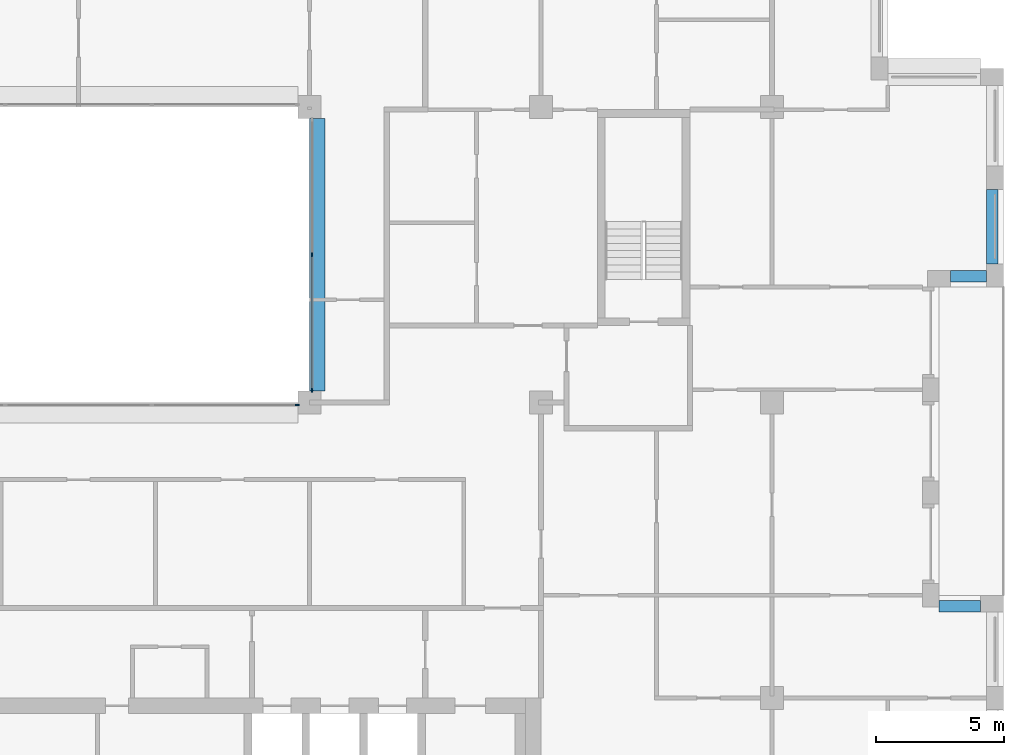
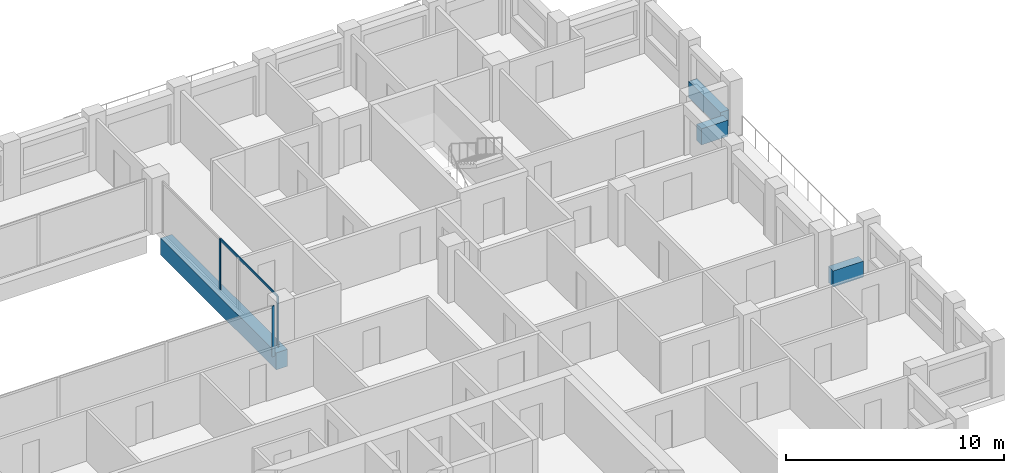
# One storey, part 4 of 16: 4 beams, 4 members, 2 elements without a shape of their own.
"""IFC4 building model written with IfcOpenShell, lengths in metres."""

from ifc_helpers import new_model, si_unit, direction, frame, origin, origin_2d, place, context, subcontext, project, spatial, rectangle, extrude, material, layer, layer_set, material_profile, profile_set, type_object, element, aggregate, save


model = new_model("IFC4")

# Units and contexts
model_context = context("Model", 3, precision=1e-05, world=origin(), true_north=direction((0.0, 1.0)))
body_context = subcontext(model_context, "Body", "Model", "MODEL_VIEW")
ifc_project = project(units=[si_unit("LENGTHUNIT", "METRE"), si_unit("AREAUNIT", "SQUARE_METRE"), si_unit("VOLUMEUNIT", "CUBIC_METRE"), si_unit("PLANEANGLEUNIT", "RADIAN"), si_unit("MASSUNIT", "GRAM", prefix="KILO")], contexts=[model_context])

# Site, building, storey
site_placement = place(None, origin())
site = spatial("IfcSite", under=ifc_project, at=site_placement, CompositionType="ELEMENT")
building_placement = place(site_placement, origin())
building = spatial("IfcBuilding", under=site, at=building_placement, Name="Brigalow Station Residences", CompositionType="ELEMENT")
storey_placement = place(building_placement, frame((0.0, 0.0, 201.14990234375)))
storey = spatial("IfcBuildingStorey", under=building, at=storey_placement, Name="L57", CompositionType="ELEMENT", Elevation=201.14990234375)

# Beam
ifc_material_1 = material(Name="Concrete C65", Category="concrete")
ifc_material_profile_1 = material_profile(ifc_material_1, rectangle(XDim=0.60009765625, YDim=0.949951171875, at=origin_2d()), Name="RC600x950")
ifc_profile_set_1 = profile_set([ifc_material_profile_1], Name="Concrete C65")
beam_type_1 = type_object("IfcBeamType", Name="ATRIUM EDGE GIRDER 600x950 C65", PredefinedType="BEAM", material=ifc_profile_set_1)
beam_1_placement = place(storey_placement, frame((45.300048828125, 24.449951171875, -0.794921875), z_axis=(0.0, 1.0, 0.0), x_axis=(-1.0, 0.0, 0.0)))
element("IfcBeam", 1, at=beam_1_placement, inside=storey, type_object=beam_type_1, Name="ATRIUM EDGE GIRDER 5 L57", PredefinedType="BEAM", context=body_context, shape_type="SweptSolid", body=[
    extrude(rectangle(XDim=0.60009765625, YDim=0.949951171875, at=origin_2d()), origin(), (0.0, 0.0, 1.0), 10.60009765625),
])

# Curtain wall, member
ifc_material_2 = material(Name="Aluminium", Category="aluminium")
ifc_layer = layer(ifc_material_2, 0.14990234375)
ifc_layer_set = layer_set([ifc_layer], Name="ATRIUM FIRE-RATED GLAZING CURTAIN WALL")
curtain_wall_type = type_object("IfcCurtainWallType", Name="ATRIUM FIRE-RATED GLAZING CURTAIN WALL", PredefinedType="NOTDEFINED", material=ifc_layer_set)
curtain_wall_1_placement = place(storey_placement, origin())
curtain_wall_1 = element("IfcCurtainWall", 2, at=curtain_wall_1_placement, inside=storey, type_object=curtain_wall_type, Name="L57/cw/atrium-S", PredefinedType="NOTDEFINED")
ifc_material_3 = material(Name="Aluminium", Category="aluminium")
ifc_material_profile_2 = material_profile(ifc_material_3, rectangle(XDim=0.06005859375, YDim=0.14990234375, at=origin_2d()), Name="ATRIUM FIRE-RATED GLAZING MULLION 60x150")
ifc_profile_set_2 = profile_set([ifc_material_profile_2], Name="Aluminium")
member_type_1 = type_object("IfcMemberType", Name="ATRIUM FIRE-RATED GLAZING MULLION 60x150", PredefinedType="MULLION", material=ifc_profile_set_2)
member_1_placement = place(storey_placement, frame((44.52001953125, 23.89990234375, 0.0), z_axis=(0.0, 0.0, 1.0), x_axis=(0.0, 1.0, 0.0)))
member_1 = element("IfcMember", 3, at=member_1_placement, type_object=member_type_1, Name="L57/cw/atrium-S/M03", PredefinedType="MULLION", context=body_context, shape_type="SweptSolid", body=[
    extrude(rectangle(XDim=0.06005859375, YDim=0.14990234375, at=origin_2d()), origin(), (0.0, 0.0, 1.0), 2.830078125),
])
aggregate(curtain_wall_1, [member_1])

# Curtain wall, members
curtain_wall_2_placement = place(storey_placement, origin())
curtain_wall_2 = element("IfcCurtainWall", 4, at=curtain_wall_2_placement, inside=storey, type_object=curtain_wall_type, Name="L57/cw/atrium-E", PredefinedType="NOTDEFINED")
member_2_placement = place(storey_placement, frame((45.10009765625, 24.47998046875, 0.0), z_axis=(0.0, 0.0, 1.0), x_axis=(-1.0, 0.0, 0.0)))
member_2 = element("IfcMember", 5, at=member_2_placement, type_object=member_type_1, Name="L57/cw/atrium-E/M00", PredefinedType="MULLION", context=body_context, shape_type="SweptSolid", body=[
    extrude(rectangle(XDim=0.06005859375, YDim=0.14990234375, at=origin_2d()), origin(), (0.0, 0.0, 1.0), 2.830078125),
])
member_3_placement = place(storey_placement, frame((45.10009765625, 29.75, 0.0), z_axis=(0.0, 0.0, 1.0), x_axis=(-1.0, 0.0, 0.0)))
member_3 = element("IfcMember", 6, at=member_3_placement, type_object=member_type_1, Name="L57/cw/atrium-E/M01", PredefinedType="MULLION", context=body_context, shape_type="SweptSolid", body=[
    extrude(rectangle(XDim=0.06005859375, YDim=0.14990234375, at=origin_2d()), origin(), (0.0, 0.0, 1.0), 2.830078125),
])
ifc_material_4 = material(Name="Aluminium", Category="aluminium")
ifc_material_profile_3 = material_profile(ifc_material_4, rectangle(XDim=0.06005859375, YDim=0.1201171875, at=origin_2d()), Name="ATRIUM FIRE-RATED GLAZING TRANSOM 60x120")
ifc_profile_set_3 = profile_set([ifc_material_profile_3], Name="Aluminium")
member_type_2 = type_object("IfcMemberType", Name="ATRIUM FIRE-RATED GLAZING TRANSOM 60x120", PredefinedType="USERDEFINED", material=ifc_profile_set_3)
member_4_placement = place(storey_placement, frame((45.10009765625, 24.510009765625, 2.800048828125), z_axis=(0.0, 1.0, 0.0), x_axis=(-1.0, 0.0, 0.0)))
member_4 = element("IfcMember", 7, at=member_4_placement, type_object=member_type_2, Name="L57/cw/atrium-E/T00-00", ObjectType="TRANSOM", PredefinedType="USERDEFINED", context=body_context, shape_type="SweptSolid", body=[
    extrude(rectangle(XDim=0.06005859375, YDim=0.1201171875, at=origin_2d()), origin(), (0.0, 0.0, 1.0), 5.2099609375),
])
aggregate(curtain_wall_2, [member_2, member_3, member_4])

# Beams
ifc_material_5 = material(Name="Concrete C50", Category="concrete")
ifc_material_profile_4 = material_profile(ifc_material_5, rectangle(XDim=0.449951171875, YDim=0.89990234375, at=origin_2d()), Name="RC450x900")
ifc_profile_set_4 = profile_set([ifc_material_profile_4], Name="Concrete C50")
beam_type_2 = type_object("IfcBeamType", Name="SPANDREL BEAM 450x900 C50", PredefinedType="SPANDREL", material=ifc_profile_set_4)
beam_2_placement = place(storey_placement, frame((71.10009765625, 16.074951171875, 0.4501953125), z_axis=(-1.0, 0.0, 0.0), x_axis=(0.0, -1.0, 0.0)))
element("IfcBeam", 8, at=beam_2_placement, inside=storey, type_object=beam_type_2, Name="L57/spandrel/W-L57-11", PredefinedType="SPANDREL", context=body_context, shape_type="SweptSolid", body=[
    extrude(rectangle(XDim=0.449951171875, YDim=0.89990234375, at=origin_2d()), origin(), (0.0, 0.0, 1.0), 1.60009765625),
])
beam_3_placement = place(storey_placement, frame((69.949951171875, 28.925048828125, 0.4501953125), z_axis=(1.0, 0.0, 0.0), x_axis=(0.0, 1.0, 0.0)))
element("IfcBeam", 9, at=beam_3_placement, inside=storey, type_object=beam_type_2, Name="L57/spandrel/W-L57-15", PredefinedType="SPANDREL", context=body_context, shape_type="SweptSolid", body=[
    extrude(rectangle(XDim=0.449951171875, YDim=0.89990234375, at=origin_2d()), origin(), (0.0, 0.0, 1.0), 1.400146484375),
])
beam_4_placement = place(storey_placement, frame((71.574951171875, 29.39990234375, 0.4501953125), z_axis=(0.0, 1.0, 0.0), x_axis=(-1.0, 0.0, 0.0)))
element("IfcBeam", 10, at=beam_4_placement, inside=storey, type_object=beam_type_2, Name="L57/spandrel/W-L57-16", PredefinedType="SPANDREL", context=body_context, shape_type="SweptSolid", body=[
    extrude(rectangle(XDim=0.449951171875, YDim=0.89990234375, at=origin_2d()), origin(), (0.0, 0.0, 1.0), 2.900146484375),
])

save(model, "model.ifc")
